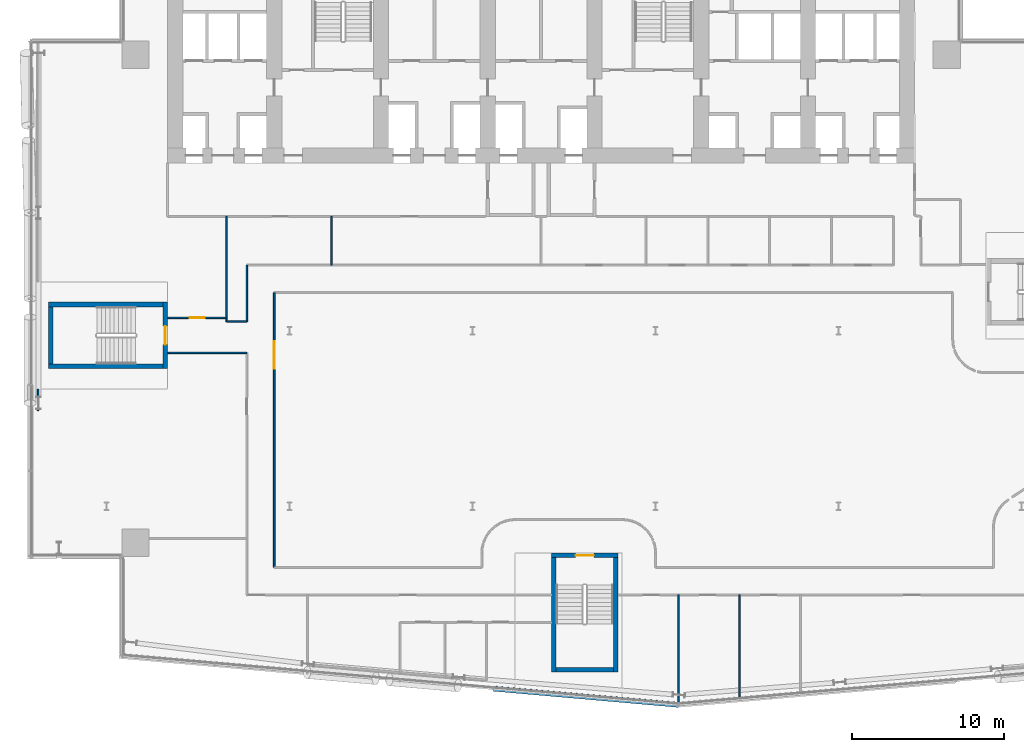
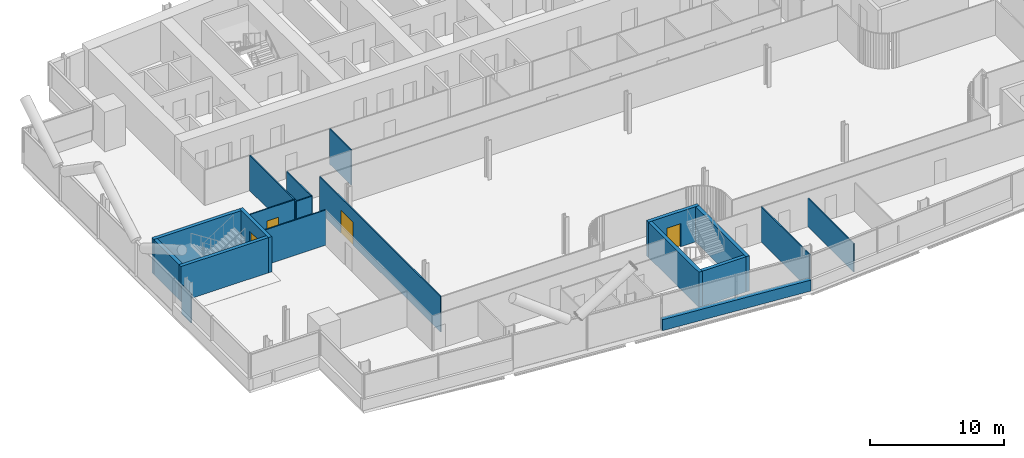
# One storey, part 15 of 31: 19 walls, 4 doors, 4 openings.
"""IFC4 building model written with IfcOpenShell, lengths in metres."""

from ifc_helpers import new_model, si_unit, direction, frame, frame_2d, origin, place, context, subcontext, project, spatial, rectangle, extrude, material, layer, layer_set, type_object, element, fill, save


model = new_model("IFC4")

# Units and contexts
model_context = context("Model", 3, precision=1e-05, world=origin(), true_north=direction((0.0, 1.0)))
body_context = subcontext(model_context, "Body", "Model", "MODEL_VIEW")
ifc_project = project(units=[si_unit("LENGTHUNIT", "METRE"), si_unit("AREAUNIT", "SQUARE_METRE"), si_unit("VOLUMEUNIT", "CUBIC_METRE"), si_unit("PLANEANGLEUNIT", "RADIAN"), si_unit("MASSUNIT", "GRAM", prefix="KILO")], contexts=[model_context])

# Site, building, storey
site_placement = place(None, origin())
site = spatial("IfcSite", under=ifc_project, at=site_placement, CompositionType="ELEMENT")
building_placement = place(site_placement, origin())
building = spatial("IfcBuilding", under=site, at=building_placement, Name="Wharfspan Tower", CompositionType="ELEMENT")
storey_placement = place(building_placement, frame((0.0, 0.0, 103.899902)))
storey = spatial("IfcBuildingStorey", under=building, at=storey_placement, Name="L23", CompositionType="ELEMENT", Elevation=103.899902)

# Wall
ifc_material_1 = material(Name="Gypsum board on steel studs", Category="steel")
ifc_layer_1 = layer(ifc_material_1, 0.100098)
ifc_layer_set_1 = layer_set([ifc_layer_1], Name="Gypsum board on steel studs")
wall_type_1 = type_object("IfcWallType", Name="Compartment wall 100 EI 60", PredefinedType="PARTITIONING", material=ifc_layer_set_1)
wall_1_placement = place(storey_placement, frame((16.02002, 21.550049, 0.0), z_axis=(0.0, 0.0, 1.0), x_axis=(1.0, 0.0, 0.0)))
element("IfcWall", 1, at=wall_1_placement, inside=storey, type_object=wall_type_1, Name="Partition L23.w006", PredefinedType="PARTITIONING", context=body_context, shape_type="SweptSolid", body=[
    extrude(rectangle(XDim=5.179932, YDim=0.100098, at=frame_2d((2.589844, 0.0))), origin(), (0.0, 0.0, 1.0), 3.200195),
])

# Wall, opening, door
wall_2_placement = place(storey_placement, frame((16.02002, 23.850098, 0.0), z_axis=(0.0, 0.0, 1.0), x_axis=(1.0, 0.0, 0.0)))
wall_2 = element("IfcWall", 2, at=wall_2_placement, inside=storey, type_object=wall_type_1, Name="Partition L23.w007", PredefinedType="PARTITIONING", context=body_context, shape_type="SweptSolid", body=[
    extrude(rectangle(XDim=3.85498, YDim=0.100098, at=frame_2d((1.92749, 0.0))), origin(), (0.0, 0.0, 1.0), 3.200195),
])
opening_1_placement = place(wall_2_placement, frame((1.435059, 0.0, 0.0)))
opening_1 = element("IfcOpeningElement", 3, at=opening_1_placement, cuts=wall_2, Name="Opening B2-13", PredefinedType="OPENING", context=body_context, shape_type="SweptSolid", body=[
    extrude(rectangle(XDim=1.0, YDim=2.100098, at=frame_2d((0.5, 1.050049))), frame((0.0, 0.060059, 0.0), z_axis=(0.0, -1.0, 0.0), x_axis=(1.0, 0.0, 0.0)), (0.0, 0.0, 1.0), 0.120117),
])
ifc_material_2 = material(Name="Fire-rated timber door leaf in steel frame", Category="steel")
door_type_1 = type_object("IfcDoorType", Name="Door 1000 FD30S Right", OperationType="SINGLE_SWING_RIGHT", PredefinedType="DOOR", material=ifc_material_2)
door_1_placement = place(opening_1_placement, origin())
door_1 = element("IfcDoor", 4, at=door_1_placement, inside=storey, type_object=door_type_1, Name="Door B2-13", OperationType="SINGLE_SWING_RIGHT", OverallHeight=2.100098, OverallWidth=1.0, PredefinedType="DOOR", context=body_context, shape_type="SweptSolid", body=[
    extrude(rectangle(XDim=1.0, YDim=2.100098, at=frame_2d((0.5, 1.050049))), frame((0.0, 0.024902, 0.0), z_axis=(0.0, -1.0, 0.0), x_axis=(1.0, 0.0, 0.0)), (0.0, 0.0, 1.0), 0.050049),
])
fill(opening_1, door_1)

# Walls
wall_3_placement = place(storey_placement, frame((19.875, 23.600098, 0.0), z_axis=(0.0, 0.0, 1.0), x_axis=(0.0, 1.0, 0.0)))
element("IfcWall", 5, at=wall_3_placement, inside=storey, type_object=wall_type_1, Name="Partition L23.w008", PredefinedType="PARTITIONING", context=body_context, shape_type="SweptSolid", body=[
    extrude(rectangle(XDim=6.899902, YDim=0.100098, at=frame_2d((3.449951, 0.0))), origin(), (0.0, 0.0, 1.0), 3.200195),
])
wall_4_placement = place(storey_placement, frame((19.875, 23.600098, 0.0), z_axis=(0.0, 0.0, 1.0), x_axis=(1.0, 0.0, 0.0)))
element("IfcWall", 6, at=wall_4_placement, inside=storey, type_object=wall_type_1, Name="Partition L23.w009", PredefinedType="PARTITIONING", context=body_context, shape_type="SweptSolid", body=[
    extrude(rectangle(XDim=1.324951, YDim=0.100098, at=frame_2d((0.662598, 0.0))), origin(), (0.0, 0.0, 1.0), 3.200195),
])
wall_5_placement = place(storey_placement, frame((21.199951, 23.600098, 0.0), z_axis=(0.0, 0.0, 1.0), x_axis=(0.0, 1.0, 0.0)))
element("IfcWall", 7, at=wall_5_placement, inside=storey, type_object=wall_type_1, Name="Partition L23.w012", PredefinedType="PARTITIONING", context=body_context, shape_type="SweptSolid", body=[
    extrude(rectangle(XDim=3.699951, YDim=0.100098, at=frame_2d((1.850098, 0.0))), origin(), (0.0, 0.0, 1.0), 3.200195),
])

# Wall, opening, door
wall_6_placement = place(storey_placement, frame((23.0, 7.485107, 0.0), z_axis=(0.0, 0.0, 1.0), x_axis=(0.0, 1.0, 0.0)))
wall_6 = element("IfcWall", 8, at=wall_6_placement, inside=storey, type_object=wall_type_1, Name="Partition L23.w014", PredefinedType="PARTITIONING", context=body_context, shape_type="SweptSolid", body=[
    extrude(rectangle(XDim=18.014893, YDim=0.100098, at=frame_2d((9.007324, 0.0))), origin(), (0.0, 0.0, 1.0), 3.200195),
])
opening_2_placement = place(wall_6_placement, frame((13.028809, 0.0, 0.0)))
opening_2 = element("IfcOpeningElement", 9, at=opening_2_placement, cuts=wall_6, Name="Opening B2-12", PredefinedType="OPENING", context=body_context, shape_type="SweptSolid", body=[
    extrude(rectangle(XDim=1.800049, YDim=2.100098, at=frame_2d((0.899902, 1.050049))), frame((0.0, 0.060059, 0.0), z_axis=(0.0, -1.0, 0.0), x_axis=(1.0, 0.0, 0.0)), (0.0, 0.0, 1.0), 0.120117),
])
door_type_2 = type_object("IfcDoorType", Name="Door 1800 FD30S Double", OperationType="DOUBLE_DOOR_SINGLE_SWING", PredefinedType="DOOR", material=ifc_material_2)
door_2_placement = place(opening_2_placement, origin())
door_2 = element("IfcDoor", 10, at=door_2_placement, inside=storey, type_object=door_type_2, Name="Door B2-12", OperationType="DOUBLE_DOOR_SINGLE_SWING", OverallHeight=2.100098, OverallWidth=1.800049, PredefinedType="DOOR", context=body_context, shape_type="SweptSolid", body=[
    extrude(rectangle(XDim=1.800049, YDim=2.100098, at=frame_2d((0.899902, 1.050049))), frame((0.0, 0.024902, 0.0), z_axis=(0.0, -1.0, 0.0), x_axis=(1.0, 0.0, 0.0)), (0.0, 0.0, 1.0), 0.050049),
])
fill(opening_2, door_2)

# Walls
wall_7_placement = place(storey_placement, frame((26.75, 27.300049, 0.0), z_axis=(0.0, 0.0, 1.0), x_axis=(0.0, 1.0, 0.0)))
element("IfcWall", 11, at=wall_7_placement, inside=storey, type_object=wall_type_1, Name="Partition L23.w018", PredefinedType="PARTITIONING", context=body_context, shape_type="SweptSolid", body=[
    extrude(rectangle(XDim=3.199951, YDim=0.100098, at=frame_2d((1.600098, 0.0))), origin(), (0.0, 0.0, 1.0), 3.200195),
])
wall_8_placement = place(storey_placement, frame((49.5, -1.498291, 0.0), z_axis=(0.0, 0.0, 1.0), x_axis=(0.0, 1.0, 0.0)))
element("IfcWall", 12, at=wall_8_placement, inside=storey, type_object=wall_type_1, Name="Partition L23.w069", PredefinedType="PARTITIONING", context=body_context, shape_type="SweptSolid", body=[
    extrude(rectangle(XDim=7.178223, YDim=0.100098, at=frame_2d((3.589111, 0.0))), origin(), (0.0, 0.0, 1.0), 3.200195),
])
wall_9_placement = place(storey_placement, frame((53.5, -1.148193, 0.0), z_axis=(0.0, 0.0, 1.0), x_axis=(0.0, 1.0, 0.0)))
element("IfcWall", 13, at=wall_9_placement, inside=storey, type_object=wall_type_1, Name="Partition L23.w071", PredefinedType="PARTITIONING", context=body_context, shape_type="SweptSolid", body=[
    extrude(rectangle(XDim=6.828125, YDim=0.100098, at=frame_2d((3.414062, 0.0))), origin(), (0.0, 0.0, 1.0), 2.580078),
])
ifc_layer_2 = layer(ifc_material_1, 0.100098)
ifc_layer_set_2 = layer_set([ifc_layer_2], Name="Gypsum board on steel studs")
wall_type_2 = type_object("IfcWallType", Name="Partition 100", PredefinedType="PARTITIONING", material=ifc_layer_set_2)
wall_10_placement = place(storey_placement, frame((7.51001, 17.764893, 0.0), z_axis=(0.0, 0.0, 1.0), x_axis=(0.0, 1.0, 0.0)))
element("IfcWall", 14, at=wall_10_placement, inside=storey, type_object=wall_type_2, Name="Partition L23.w001", PredefinedType="PARTITIONING", context=body_context, shape_type="SweptSolid", body=[
    extrude(rectangle(XDim=1.415039, YDim=0.100098, at=frame_2d((0.70752, 0.0))), origin(), (0.0, 0.0, 1.0), 2.580078),
])
ifc_material_3 = material(Name="Concrete C40/50", Category="concrete")
ifc_layer_3 = layer(ifc_material_3, 0.350098)
ifc_layer_set_3 = layer_set([ifc_layer_3], Name="Concrete C40/50")
wall_type_3 = type_object("IfcWallType", Name="SPANDREL EXPOSED CONCRETE 350", PredefinedType="SOLIDWALL", material=ifc_layer_set_3)
wall_11_placement = place(storey_placement, frame((37.362793, -0.461426, 0.0), z_axis=(0.0, 0.0, 1.0), x_axis=(0.996194, -0.087159, 0.0)))
element("IfcWall", 15, at=wall_11_placement, inside=storey, type_object=wall_type_3, Name="Spandrel upstand L23 S1 2", PredefinedType="SOLIDWALL", context=body_context, shape_type="SweptSolid", body=[
    extrude(rectangle(XDim=12.19873, YDim=0.350098, at=frame_2d((6.099365, 0.0))), origin(), (0.0, 0.0, 1.0), 1.0),
])

# Wall, opening, door
ifc_layer_4 = layer(ifc_material_3, 0.300049)
ifc_layer_set_4 = layer_set([ifc_layer_4], Name="Concrete C40/50")
wall_type_4 = type_object("IfcWallType", Name="Stair core wall 300", PredefinedType="SHEAR", material=ifc_layer_set_4)
wall_12_placement = place(storey_placement, frame((15.850098, 20.524902, 0.0), z_axis=(0.0, 0.0, 1.0), x_axis=(0.0, 1.0, 0.0)))
wall_12 = element("IfcWall", 16, at=wall_12_placement, inside=storey, type_object=wall_type_4, Name="ST3 stair enclosure wall L23", PredefinedType="SHEAR", context=body_context, shape_type="SweptSolid", body=[
    extrude(rectangle(XDim=4.350098, YDim=0.300049, at=frame_2d((2.175049, 0.0))), origin(), (0.0, 0.0, 1.0), 3.200195),
])
opening_3_placement = place(wall_12_placement, frame((1.574951, 0.0, 0.0)))
opening_3 = element("IfcOpeningElement", 17, at=opening_3_placement, cuts=wall_12, Name="Opening SD3.L23", PredefinedType="OPENING", context=body_context, shape_type="SweptSolid", body=[
    extrude(rectangle(XDim=1.199951, YDim=2.100098, at=frame_2d((0.600098, 1.050049))), frame((0.0, 0.159912, 0.0), z_axis=(0.0, -1.0, 0.0), x_axis=(1.0, 0.0, 0.0)), (0.0, 0.0, 1.0), 0.320068),
])
ifc_material_4 = material(Name="Steel door leaf", Category="steel")
door_type_3 = type_object("IfcDoorType", Name="Stair door 1200x2100", OperationType="SINGLE_SWING_LEFT", PredefinedType="DOOR", material=ifc_material_4)
door_3_placement = place(opening_3_placement, origin())
door_3 = element("IfcDoor", 18, at=door_3_placement, inside=storey, type_object=door_type_3, Name="sd:L23:ST3z2", OperationType="SINGLE_SWING_RIGHT", OverallHeight=2.100098, OverallWidth=1.199951, PredefinedType="DOOR", context=body_context, shape_type="SweptSolid", body=[
    extrude(rectangle(XDim=1.199951, YDim=2.100098, at=frame_2d((0.600098, 1.050049))), frame((0.0, 0.024902, 0.0), z_axis=(0.0, -1.0, 0.0), x_axis=(1.0, 0.0, 0.0)), (0.0, 0.0, 1.0), 0.050049),
])
fill(opening_3, door_3)

wall_13_placement = place(storey_placement, frame((41.185303, 8.26709, 0.0), z_axis=(0.0, 0.0, 1.0), x_axis=(1.0, 0.0, 0.0)))
wall_13 = element("IfcWall", 19, at=wall_13_placement, inside=storey, type_object=wall_type_4, Name="ST4 stair enclosure wall L23", PredefinedType="SHEAR", context=body_context, shape_type="SweptSolid", body=[
    extrude(rectangle(XDim=4.350098, YDim=0.300049, at=frame_2d((2.175049, 0.0))), origin(), (0.0, 0.0, 1.0), 3.200195),
])
opening_4_placement = place(wall_13_placement, frame((1.574951, 0.0, 0.0)))
opening_4 = element("IfcOpeningElement", 20, at=opening_4_placement, cuts=wall_13, Name="Opening SD4.L23", PredefinedType="OPENING", context=body_context, shape_type="SweptSolid", body=[
    extrude(rectangle(XDim=1.199951, YDim=2.100098, at=frame_2d((0.600098, 1.050049))), frame((0.0, 0.159912, 0.0), z_axis=(0.0, -1.0, 0.0), x_axis=(1.0, 0.0, 0.0)), (0.0, 0.0, 1.0), 0.320068),
])
door_4_placement = place(opening_4_placement, origin())
door_4 = element("IfcDoor", 21, at=door_4_placement, inside=storey, type_object=door_type_3, Name="sd:L23:ST4z2", OperationType="SINGLE_SWING_RIGHT", OverallHeight=2.100098, OverallWidth=1.199951, PredefinedType="DOOR", context=body_context, shape_type="SweptSolid", body=[
    extrude(rectangle(XDim=1.199951, YDim=2.100098, at=frame_2d((0.600098, 1.050049))), frame((0.0, 0.024902, 0.0), z_axis=(0.0, -1.0, 0.0), x_axis=(1.0, 0.0, 0.0)), (0.0, 0.0, 1.0), 0.050049),
])
fill(opening_4, door_4)

# Walls
for number, where, z_axis, x_axis, name in (
    (22, (8.199951, 20.675049, 0.0), (0.0, 0.0, 1.0), (1.0, 0.0, 0.0), "ST3 stair enclosure wall L23"),
    (23, (8.199951, 24.725098, 0.0), (0.0, 0.0, 1.0), (1.0, 0.0, 0.0), "ST3 stair enclosure wall L23"),
):
    element("IfcWall", number, at=place(storey_placement, frame(where, z_axis=z_axis, x_axis=x_axis)), inside=storey, type_object=wall_type_4, Name=name, PredefinedType="SHEAR", context=body_context, shape_type="SweptSolid", body=[
        extrude(rectangle(XDim=7.5, YDim=0.300049, at=frame_2d((3.75, 0.0))), origin(), (0.0, 0.0, 1.0), 3.200195),
    ])
wall_14_placement = place(storey_placement, frame((8.350098, 20.824951, 0.0), z_axis=(0.0, 0.0, 1.0), x_axis=(0.0, 1.0, 0.0)))
element("IfcWall", 24, at=wall_14_placement, inside=storey, type_object=wall_type_4, Name="ST3 stair enclosure wall L23", PredefinedType="SHEAR", context=body_context, shape_type="SweptSolid", body=[
    extrude(rectangle(XDim=3.75, YDim=0.300049, at=frame_2d((1.875, 0.0))), origin(), (0.0, 0.0, 1.0), 3.200195),
])
for number, where, z_axis, x_axis, name in (
    (25, (41.335205, 0.616943, 0.0), (0.0, 0.0, 1.0), (0.0, 1.0, 0.0), "ST4 stair enclosure wall L23"),
    (26, (45.385254, 0.616943, 0.0), (0.0, 0.0, 1.0), (0.0, 1.0, 0.0), "ST4 stair enclosure wall L23"),
):
    element("IfcWall", number, at=place(storey_placement, frame(where, z_axis=z_axis, x_axis=x_axis)), inside=storey, type_object=wall_type_4, Name=name, PredefinedType="SHEAR", context=body_context, shape_type="SweptSolid", body=[
        extrude(rectangle(XDim=7.5, YDim=0.300049, at=frame_2d((3.75, 0.0))), origin(), (0.0, 0.0, 1.0), 3.200195),
    ])
wall_15_placement = place(storey_placement, frame((41.485352, 0.76709, 0.0), z_axis=(0.0, 0.0, 1.0), x_axis=(1.0, 0.0, 0.0)))
element("IfcWall", 27, at=wall_15_placement, inside=storey, type_object=wall_type_4, Name="ST4 stair enclosure wall L23", PredefinedType="SHEAR", context=body_context, shape_type="SweptSolid", body=[
    extrude(rectangle(XDim=3.75, YDim=0.300049, at=frame_2d((1.875, 0.0))), origin(), (0.0, 0.0, 1.0), 3.200195),
])

save(model, "model.ifc")
